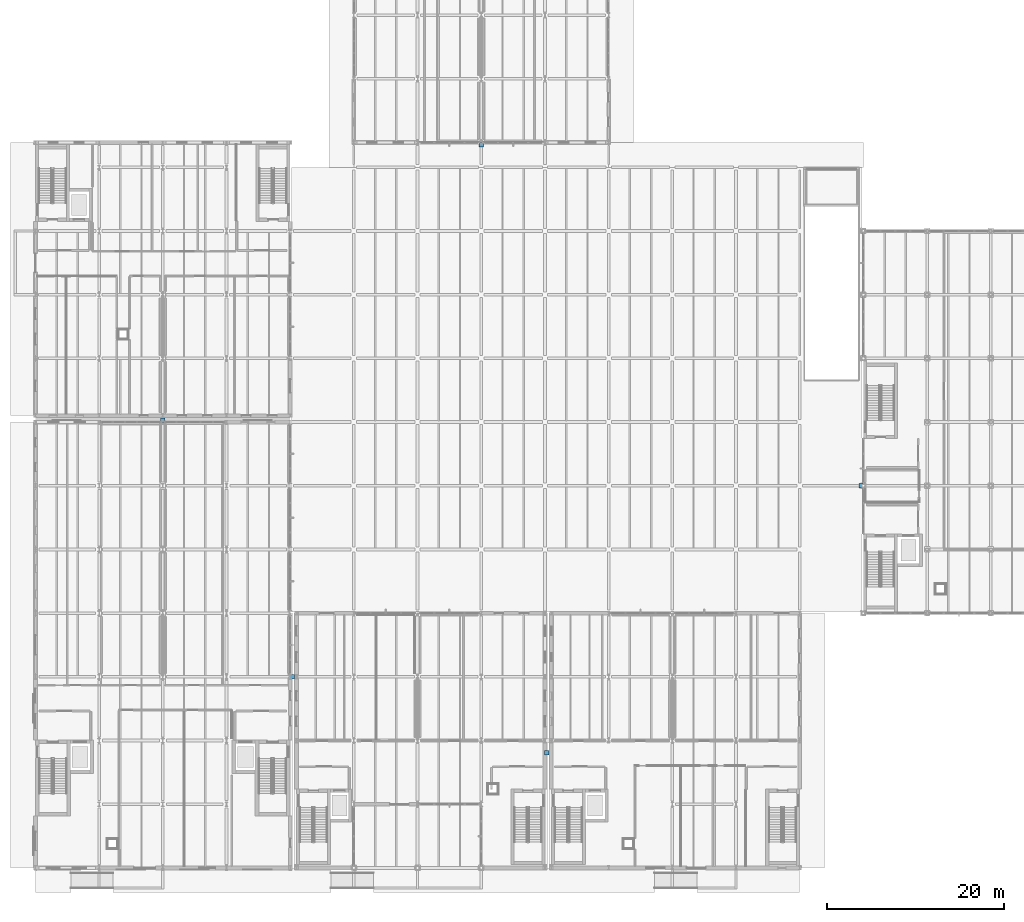
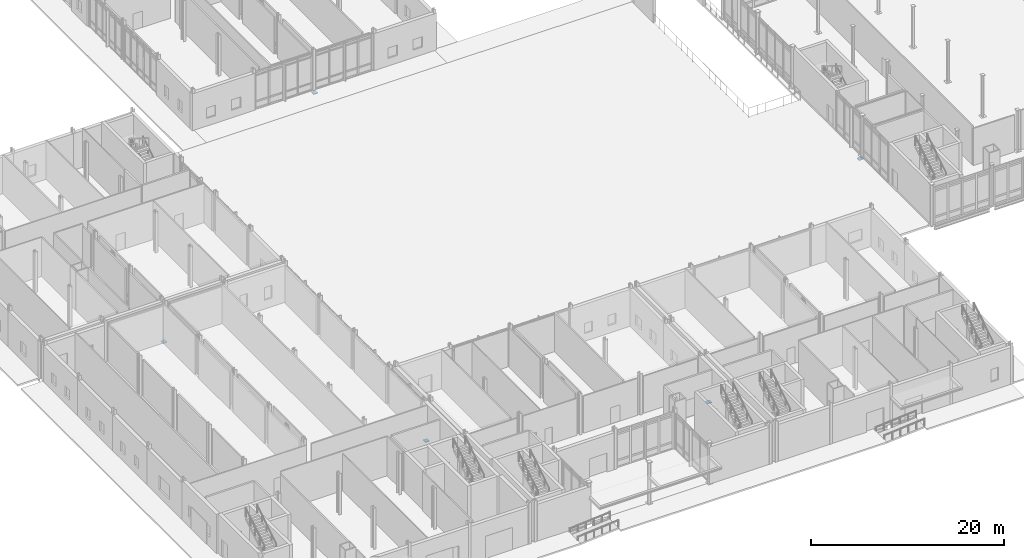
# One storey, part 73 of 89: 5 discrete accessories.
"""IFC4 building model written with IfcOpenShell, lengths in metres."""

from ifc_helpers import new_model, si_unit, direction, frame, origin, origin_2d, place, context, subcontext, project, spatial, rectangle, extrude, material, layer, layer_set, type_object, element, save


model = new_model("IFC4")

# Units and contexts
model_context = context("Model", 3, precision=1e-05, world=origin(), true_north=direction((0.0, 1.0)))
body_context = subcontext(model_context, "Body", "Model", "MODEL_VIEW")
ifc_project = project(units=[si_unit("LENGTHUNIT", "METRE"), si_unit("AREAUNIT", "SQUARE_METRE"), si_unit("VOLUMEUNIT", "CUBIC_METRE"), si_unit("PLANEANGLEUNIT", "RADIAN"), si_unit("MASSUNIT", "GRAM", prefix="KILO")], contexts=[model_context])

# Site, building, storey
site_placement = place(None, origin())
site = spatial("IfcSite", under=ifc_project, at=site_placement, CompositionType="ELEMENT")
building_placement = place(site_placement, origin())
building = spatial("IfcBuilding", under=site, at=building_placement, Name="Zarrinpeak Specialist Clinic", CompositionType="ELEMENT")
storey_placement = place(building_placement, origin())
storey = spatial("IfcBuildingStorey", under=building, at=storey_placement, Name="L00", CompositionType="ELEMENT", Elevation=0.0)

# Discrete accessories
ifc_material = material(Name="Stainless steel 316", Category="steel")
ifc_layer = layer(ifc_material, 0.080078125)
ifc_layer_set = layer_set([ifc_layer], Name="Stainless steel 316")
discrete_accessory_type = type_object("IfcDiscreteAccessoryType", Name="BRG-PTFE", PredefinedType="USERDEFINED", material=ifc_layer_set)
for number, where, z_axis, x_axis, name in (
    (1, (29.02001953125, 21.60009765625, -0.300048828125), (0.0, 0.0, 1.0), (1.0, 0.0, 0.0), "Unguided PTFE Sliding Bridge Bearing SJ-1 (500 mm Seat, +/-105 mm Travel)"),
    (2, (57.820068359375, 13.0, -0.300048828125), (0.0, 0.0, 1.0), (1.0, 0.0, 0.0), "Unguided PTFE Sliding Bridge Bearing SJ-2 (500 mm Seat, +/-105 mm Travel)"),
    (3, (93.35009765625, 43.199951171875, -0.300048828125), (0.0, 0.0, 1.0), (1.0, 0.0, 0.0), "Unguided PTFE Sliding Bridge Bearing SJ-3 (500 mm Seat, +/-105 mm Travel)"),
    (4, (14.39990234375, 50.6201171875, -0.300048828125), (0.0, 0.0, 1.0), (1.0, 0.0, 0.0), "Unguided PTFE Sliding Bridge Bearing SJ-4 (500 mm Seat, +/-105 mm Travel)"),
    (5, (50.39990234375, 81.75, -0.300048828125), (0.0, 0.0, 1.0), (1.0, 0.0, 0.0), "Unguided PTFE Sliding Bridge Bearing SJ-5 (500 mm Seat, +/-105 mm Travel)"),
):
    element("IfcDiscreteAccessory", number, at=place(storey_placement, frame(where, z_axis=z_axis, x_axis=x_axis)), inside=storey, type_object=discrete_accessory_type, Name=name, ObjectType="SLIDING BEARING", PredefinedType="USERDEFINED", context=body_context, shape_type="SweptSolid", body=[
        extrude(rectangle(XDim=0.5, YDim=0.5, at=origin_2d()), origin(), (0.0, 0.0, 1.0), 0.080078125),
    ])

save(model, "model.ifc")
